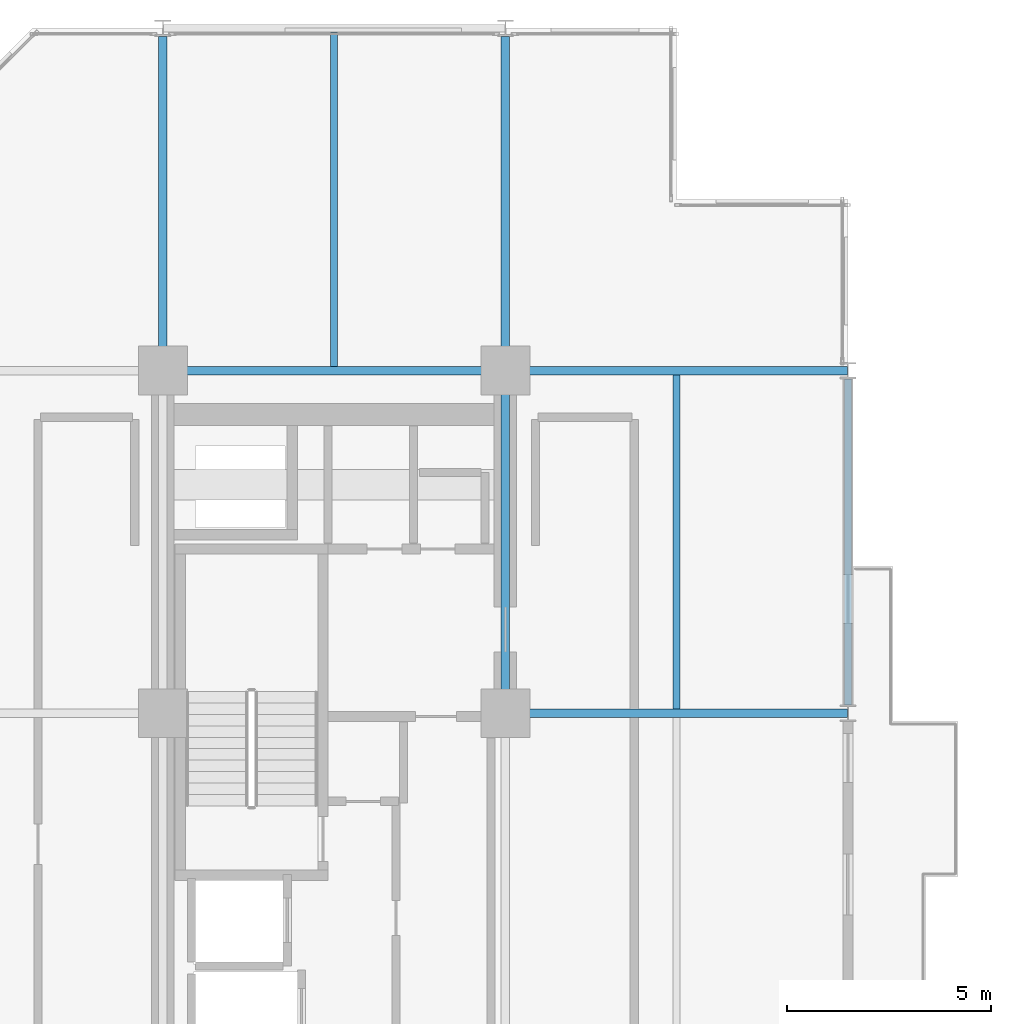
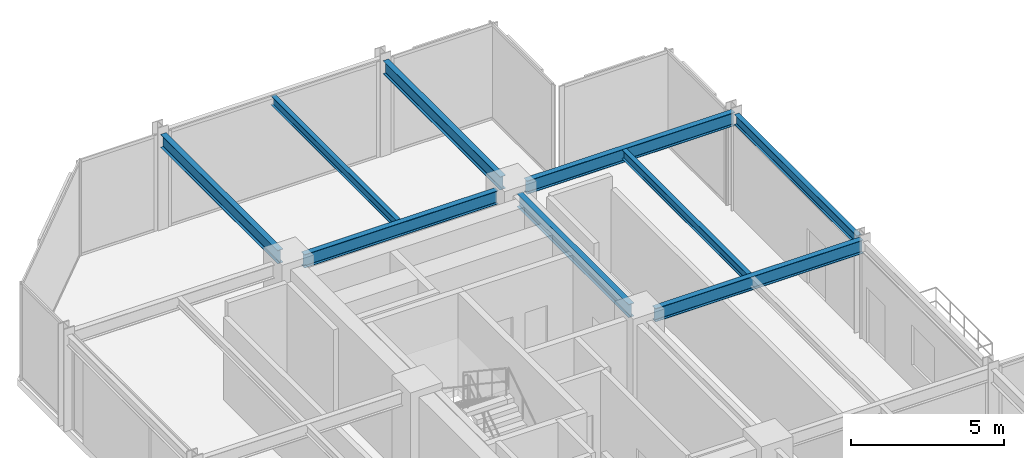
# One storey, part 19 of 29: 9 beams.
"""IFC4 building model written with IfcOpenShell, lengths in metres."""

from ifc_helpers import new_model, si_unit, direction, frame, origin, origin_2d, place, context, subcontext, project, spatial, i_section, extrude, material, material_profile, profile_set, type_object, element, save


model = new_model("IFC4")

# Units and contexts
model_context = context("Model", 3, precision=1e-05, world=origin(), true_north=direction((0.0, 1.0)))
body_context = subcontext(model_context, "Body", "Model", "MODEL_VIEW")
ifc_project = project(units=[si_unit("LENGTHUNIT", "METRE"), si_unit("AREAUNIT", "SQUARE_METRE"), si_unit("VOLUMEUNIT", "CUBIC_METRE"), si_unit("PLANEANGLEUNIT", "RADIAN"), si_unit("MASSUNIT", "GRAM", prefix="KILO")], contexts=[model_context])

# Site, building, storey
site_placement = place(None, origin())
site = spatial("IfcSite", under=ifc_project, at=site_placement, CompositionType="ELEMENT")
building_placement = place(site_placement, origin())
building = spatial("IfcBuilding", under=site, at=building_placement, Name="Nerrivon Quay Data Exchange", CompositionType="ELEMENT")
storey_placement = place(building_placement, frame((0.0, 0.0, 145.89990234375)))
storey = spatial("IfcBuildingStorey", under=building, at=storey_placement, Name="L34", CompositionType="ELEMENT", Elevation=145.89990234375)

# Beams
ifc_material = material(Name="Steel Grade 350", Category="steel")
ifc_material_profile_1 = material_profile(ifc_material, i_section(OverallWidth=0.208984375, OverallDepth=0.532958984375, WebThickness=0.01025390625, FlangeThickness=0.015625, FilletRadius=0.013916015625, at=origin_2d()), Name="530UB92.4")
ifc_profile_set_1 = profile_set([ifc_material_profile_1], Name="Steel Grade 350")
beam_type_1 = type_object("IfcBeamType", Name="BM-G3-530UB92", PredefinedType="BEAM", material=ifc_profile_set_1)
beam_1_placement = place(storey_placement, frame((17.340087890625, 33.60009765625, 3.55859375), z_axis=(1.0, 0.0, 0.0), x_axis=(0.0, 1.0, 0.0)))
element("IfcBeam", 1, at=beam_1_placement, inside=storey, type_object=beam_type_1, Name="L34 EW Girder Y=33.6 (16.8..25.2)", PredefinedType="BEAM", context=body_context, shape_type="SweptSolid", body=[
    extrude(i_section(OverallWidth=0.208984375, OverallDepth=0.532958984375, WebThickness=0.01025390625, FlangeThickness=0.015625, FilletRadius=0.013916015625, at=origin_2d()), origin(), (0.0, 0.0, 1.0), 7.847412109375),
])
beam_2_placement = place(storey_placement, frame((8.93994140625, 42.0, 3.55859375), z_axis=(1.0, 0.0, 0.0), x_axis=(0.0, 1.0, 0.0)))
element("IfcBeam", 2, at=beam_2_placement, inside=storey, type_object=beam_type_1, Name="L34 EW Girder Y=42.0 (8.4..16.8)", PredefinedType="BEAM", context=body_context, shape_type="SweptSolid", body=[
    extrude(i_section(OverallWidth=0.208984375, OverallDepth=0.532958984375, WebThickness=0.01025390625, FlangeThickness=0.015625, FilletRadius=0.013916015625, at=origin_2d()), origin(), (0.0, 0.0, 1.0), 7.320068359375),
])
beam_3_placement = place(storey_placement, frame((17.340087890625, 42.0, 3.55859375), z_axis=(1.0, 0.0, 0.0), x_axis=(0.0, 1.0, 0.0)))
element("IfcBeam", 3, at=beam_3_placement, inside=storey, type_object=beam_type_1, Name="L34 EW Girder Y=42.0 (16.8..25.2)", PredefinedType="BEAM", context=body_context, shape_type="SweptSolid", body=[
    extrude(i_section(OverallWidth=0.208984375, OverallDepth=0.532958984375, WebThickness=0.01025390625, FlangeThickness=0.015625, FilletRadius=0.013916015625, at=origin_2d()), origin(), (0.0, 0.0, 1.0), 7.847412109375),
])
ifc_material_profile_2 = material_profile(ifc_material, i_section(OverallWidth=0.208984375, OverallDepth=0.528076171875, WebThickness=0.009521484375, FlangeThickness=0.01318359375, FilletRadius=0.013916015625, at=origin_2d()), Name="530UB82.0")
ifc_profile_set_2 = profile_set([ifc_material_profile_2], Name="Steel Grade 350")
beam_type_2 = type_object("IfcBeamType", Name="BM-G4-530UB82", PredefinedType="BEAM", material=ifc_profile_set_2)
beam_4_placement = place(storey_placement, frame((8.39990234375, 42.5400390625, 3.56103515625), z_axis=(0.0, 1.0, 0.0), x_axis=(-1.0, 0.0, 0.0)))
element("IfcBeam", 4, at=beam_4_placement, inside=storey, type_object=beam_type_2, Name="L34 NS Girder X=8.4 (42.0..50.4)", PredefinedType="BEAM", context=body_context, shape_type="SweptSolid", body=[
    extrude(i_section(OverallWidth=0.208984375, OverallDepth=0.528076171875, WebThickness=0.009521484375, FlangeThickness=0.01318359375, FilletRadius=0.013916015625, at=origin_2d()), origin(), (0.0, 0.0, 1.0), 7.659912109375),
])
beam_5_placement = place(storey_placement, frame((16.800048828125, 34.139892578125, 3.56103515625), z_axis=(0.0, 1.0, 0.0), x_axis=(-1.0, 0.0, 0.0)))
element("IfcBeam", 5, at=beam_5_placement, inside=storey, type_object=beam_type_2, Name="L34 NS Girder X=16.8 (33.6..42.0)", PredefinedType="BEAM", context=body_context, shape_type="SweptSolid", body=[
    extrude(i_section(OverallWidth=0.208984375, OverallDepth=0.528076171875, WebThickness=0.009521484375, FlangeThickness=0.01318359375, FilletRadius=0.013916015625, at=origin_2d()), origin(), (0.0, 0.0, 1.0), 7.320068359375),
])
beam_6_placement = place(storey_placement, frame((16.800048828125, 42.5400390625, 3.56103515625), z_axis=(0.0, 1.0, 0.0), x_axis=(-1.0, 0.0, 0.0)))
element("IfcBeam", 6, at=beam_6_placement, inside=storey, type_object=beam_type_2, Name="L34 NS Girder X=16.8 (42.0..50.4)", PredefinedType="BEAM", context=body_context, shape_type="SweptSolid", body=[
    extrude(i_section(OverallWidth=0.208984375, OverallDepth=0.528076171875, WebThickness=0.009521484375, FlangeThickness=0.01318359375, FilletRadius=0.013916015625, at=origin_2d()), origin(), (0.0, 0.0, 1.0), 7.659912109375),
])
ifc_material_profile_3 = material_profile(ifc_material, i_section(OverallWidth=0.1708984375, OverallDepth=0.35595703125, WebThickness=0.00732421875, FlangeThickness=0.011474609375, FilletRadius=0.011474609375, at=origin_2d()), Name="360UB50.7")
ifc_profile_set_3 = profile_set([ifc_material_profile_3], Name="Steel Grade 350")
beam_type_3 = type_object("IfcBeamType", Name="BM-J4-360UB51", PredefinedType="JOIST", material=ifc_profile_set_3)
beam_7_placement = place(storey_placement, frame((12.60009765625, 42.1044921875, 3.647216796875), z_axis=(0.0, 1.0, 0.0), x_axis=(-1.0, 0.0, 0.0)))
element("IfcBeam", 7, at=beam_7_placement, inside=storey, type_object=beam_type_3, Name="L34 Secondary Joist X=12.6 (42.0..50.4)", PredefinedType="JOIST", context=body_context, shape_type="SweptSolid", body=[
    extrude(i_section(OverallWidth=0.1708984375, OverallDepth=0.35595703125, WebThickness=0.00732421875, FlangeThickness=0.011474609375, FilletRadius=0.011474609375, at=origin_2d()), origin(), (0.0, 0.0, 1.0), 8.20654296875),
])
beam_8_placement = place(storey_placement, frame((21.0, 33.70458984375, 3.647216796875), z_axis=(0.0, 1.0, 0.0), x_axis=(-1.0, 0.0, 0.0)))
element("IfcBeam", 8, at=beam_8_placement, inside=storey, type_object=beam_type_3, Name="L34 Secondary Joist X=21.0 (33.6..42.0)", PredefinedType="JOIST", context=body_context, shape_type="SweptSolid", body=[
    extrude(i_section(OverallWidth=0.1708984375, OverallDepth=0.35595703125, WebThickness=0.00732421875, FlangeThickness=0.011474609375, FilletRadius=0.011474609375, at=origin_2d()), origin(), (0.0, 0.0, 1.0), 8.19091796875),
])
ifc_material_profile_4 = material_profile(ifc_material, i_section(OverallWidth=0.177978515625, OverallDepth=0.403076171875, WebThickness=0.007568359375, FlangeThickness=0.010986328125, FilletRadius=0.011474609375, at=origin_2d()), Name="410UB53.7")
ifc_profile_set_4 = profile_set([ifc_material_profile_4], Name="Steel Grade 350")
beam_type_4 = type_object("IfcBeamType", Name="BM-SP2-410UB54", PredefinedType="SPANDREL", material=ifc_profile_set_4)
beam_9_placement = place(storey_placement, frame((25.199951171875, 33.800048828125, 3.62353515625), z_axis=(0.0, 1.0, 0.0), x_axis=(-1.0, 0.0, 0.0)))
element("IfcBeam", 9, at=beam_9_placement, inside=storey, type_object=beam_type_4, Name="L34 NS Girder X=25.2 (33.6..42.0)", PredefinedType="SPANDREL", context=body_context, shape_type="SweptSolid", body=[
    extrude(i_section(OverallWidth=0.177978515625, OverallDepth=0.403076171875, WebThickness=0.007568359375, FlangeThickness=0.010986328125, FilletRadius=0.011474609375, at=origin_2d()), origin(), (0.0, 0.0, 1.0), 8.0),
])

save(model, "model.ifc")
